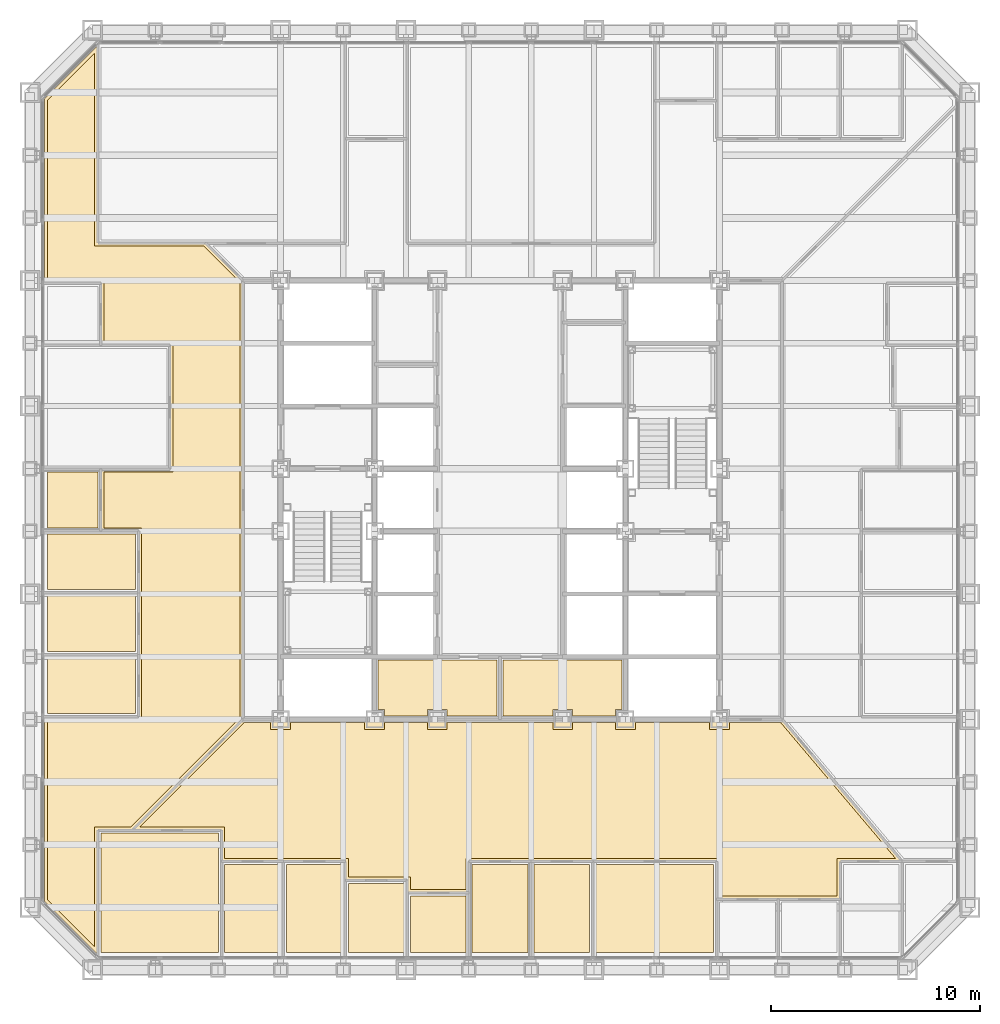
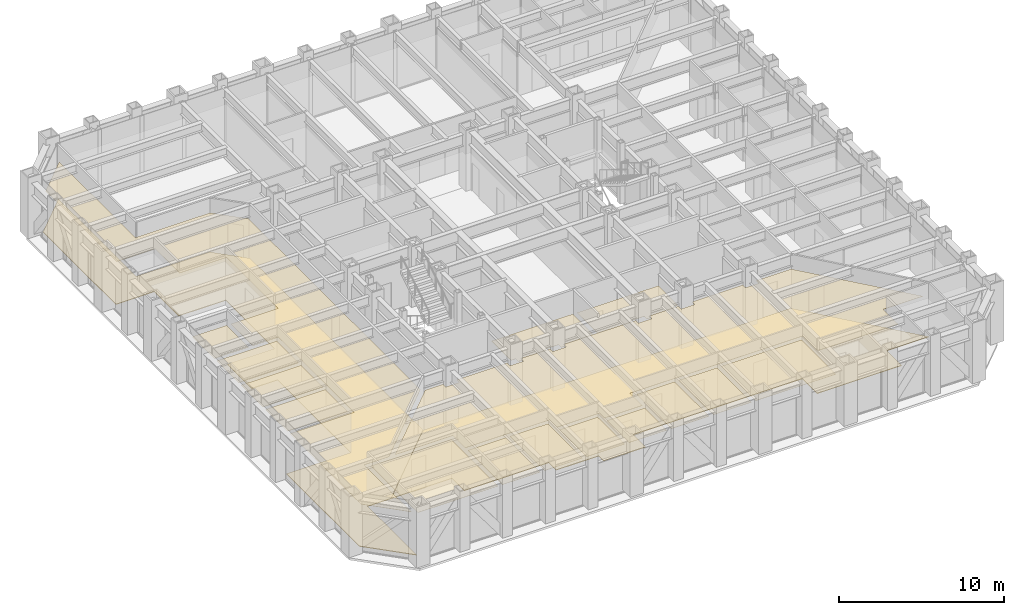
# One storey, part 14 of 16: 18 coverings.
"""IFC4 building model written with IfcOpenShell, lengths in metres."""

from ifc_helpers import new_model, si_unit, direction, frame, origin, place, context, subcontext, project, spatial, polyline, outline, extrude, material, layer, layer_set, type_object, element, save


model = new_model("IFC4")

# Units and contexts
model_context = context("Model", 3, precision=1e-05, world=origin(), true_north=direction((0.0, 1.0)))
body_context = subcontext(model_context, "Body", "Model", "MODEL_VIEW")
ifc_project = project(units=[si_unit("LENGTHUNIT", "METRE"), si_unit("AREAUNIT", "SQUARE_METRE"), si_unit("VOLUMEUNIT", "CUBIC_METRE"), si_unit("PLANEANGLEUNIT", "RADIAN"), si_unit("MASSUNIT", "GRAM", prefix="KILO")], contexts=[model_context])

# Site, building, storey
site_placement = place(None, origin())
site = spatial("IfcSite", under=ifc_project, at=site_placement, CompositionType="ELEMENT")
building_placement = place(site_placement, origin())
building = spatial("IfcBuilding", under=site, at=building_placement, Name="Chuquiago Exchange Tower", CompositionType="ELEMENT")
storey_placement = place(building_placement, frame((0.0, 0.0, 28.800048828125)))
storey = spatial("IfcBuildingStorey", under=building, at=storey_placement, Name="L05", CompositionType="ELEMENT", Elevation=28.800048828125)

# Coverings
ifc_material_1 = material(Name="Mineral fibre tile, 600 x 600, on pale metal grid", Category="mineral fibre")
ifc_layer_1 = layer(ifc_material_1, 0.02001953125)
ifc_layer_set_1 = layer_set([ifc_layer_1], Name="CL1 suspended tile ceiling 20")
covering_type_1 = type_object("IfcCoveringType", Name="CL1 suspended tile ceiling 20", PredefinedType="CEILING", material=ifc_layer_set_1)
covering_1_placement = place(storey_placement, frame((0.0, 0.0, 3.0)))
element("IfcCovering", 1, at=covering_1_placement, inside=storey, type_object=covering_type_1, Name="Ceiling Market data room", PredefinedType="CEILING", context=body_context, shape_type="SweptSolid", body=[
    extrude(outline(polyline([(3.3984375, 6.550048828125), (9.022216796875, 6.550048828125), (9.022216796875, 0.85009765625), (3.3984375, 0.85009765625), (3.3984375, 6.550048828125)])), origin(), (0.0, 0.0, 1.0), 0.02001953125),
])
covering_2_placement = place(storey_placement, frame((0.0, 0.0, 3.0)))
element("IfcCovering", 2, at=covering_2_placement, inside=storey, type_object=covering_type_1, Name="Ceiling Trading support room", PredefinedType="CEILING", context=body_context, shape_type="SweptSolid", body=[
    extrude(outline(polyline([(9.322021484375, 5.050048828125), (11.98388671875, 5.050048828125), (11.98388671875, 0.85009765625), (9.322021484375, 0.85009765625), (9.322021484375, 5.050048828125)])), origin(), (0.0, 0.0, 1.0), 0.02001953125),
])
covering_3_placement = place(storey_placement, frame((0.0, 0.0, 3.0)))
element("IfcCovering", 3, at=covering_3_placement, inside=storey, type_object=covering_type_1, Name="Ceiling Trading support room", PredefinedType="CEILING", context=body_context, shape_type="SweptSolid", body=[
    extrude(outline(polyline([(12.28369140625, 5.050048828125), (14.945556640625, 5.050048828125), (14.945556640625, 0.85009765625), (12.28369140625, 0.85009765625), (12.28369140625, 5.050048828125)])), origin(), (0.0, 0.0, 1.0), 0.02001953125),
])
covering_4_placement = place(storey_placement, frame((0.0, 0.0, 3.0)))
element("IfcCovering", 4, at=covering_4_placement, inside=storey, type_object=covering_type_1, Name="Ceiling Comms room", PredefinedType="CEILING", context=body_context, shape_type="SweptSolid", body=[
    extrude(outline(polyline([(15.24560546875, 4.14990234375), (17.907470703125, 4.14990234375), (17.907470703125, 0.85009765625), (15.24560546875, 0.85009765625), (15.24560546875, 4.14990234375)])), origin(), (0.0, 0.0, 1.0), 0.02001953125),
])
covering_5_placement = place(storey_placement, frame((0.0, 0.0, 3.0)))
element("IfcCovering", 5, at=covering_5_placement, inside=storey, type_object=covering_type_1, Name="Ceiling Store", PredefinedType="CEILING", context=body_context, shape_type="SweptSolid", body=[
    extrude(outline(polyline([(18.20751953125, 3.550048828125), (20.869140625, 3.550048828125), (20.869140625, 0.85009765625), (18.20751953125, 0.85009765625), (18.20751953125, 3.550048828125)])), origin(), (0.0, 0.0, 1.0), 0.02001953125),
])
covering_6_placement = place(storey_placement, frame((0.0, 0.0, 3.0)))
element("IfcCovering", 6, at=covering_6_placement, inside=storey, type_object=covering_type_1, Name="Ceiling Office", PredefinedType="CEILING", context=body_context, shape_type="SweptSolid", body=[
    extrude(outline(polyline([(21.169189453125, 5.050048828125), (23.830810546875, 5.050048828125), (23.830810546875, 0.85009765625), (21.169189453125, 0.85009765625), (21.169189453125, 5.050048828125)])), origin(), (0.0, 0.0, 1.0), 0.02001953125),
])
covering_7_placement = place(storey_placement, frame((0.0, 0.0, 3.0)))
element("IfcCovering", 7, at=covering_7_placement, inside=storey, type_object=covering_type_1, Name="Ceiling Office", PredefinedType="CEILING", context=body_context, shape_type="SweptSolid", body=[
    extrude(outline(polyline([(24.130859375, 5.050048828125), (26.79248046875, 5.050048828125), (26.79248046875, 0.85009765625), (24.130859375, 0.85009765625), (24.130859375, 5.050048828125)])), origin(), (0.0, 0.0, 1.0), 0.02001953125),
])
covering_8_placement = place(storey_placement, frame((0.0, 0.0, 3.0)))
element("IfcCovering", 8, at=covering_8_placement, inside=storey, type_object=covering_type_1, Name="Ceiling Meeting room", PredefinedType="CEILING", context=body_context, shape_type="SweptSolid", body=[
    extrude(outline(polyline([(27.092529296875, 5.050048828125), (32.71630859375, 5.050048828125), (32.71630859375, 0.85009765625), (27.092529296875, 0.85009765625), (27.092529296875, 5.050048828125)])), origin(), (0.0, 0.0, 1.0), 0.02001953125),
])
covering_9_placement = place(storey_placement, frame((0.0, 0.0, 3.0)))
element("IfcCovering", 9, at=covering_9_placement, inside=storey, type_object=covering_type_1, Name="Ceiling Office", PredefinedType="CEILING", context=body_context, shape_type="SweptSolid", body=[
    extrude(outline(polyline([(5.050048828125, 14.945556640625), (5.050048828125, 12.28369140625), (0.85009765625, 12.28369140625), (0.85009765625, 14.945556640625), (5.050048828125, 14.945556640625)])), origin(), (0.0, 0.0, 1.0), 0.02001953125),
])
covering_10_placement = place(storey_placement, frame((0.0, 0.0, 3.0)))
element("IfcCovering", 10, at=covering_10_placement, inside=storey, type_object=covering_type_1, Name="Ceiling Office", PredefinedType="CEILING", context=body_context, shape_type="SweptSolid", body=[
    extrude(outline(polyline([(5.050048828125, 17.907470703125), (5.050048828125, 15.24560546875), (0.85009765625, 15.24560546875), (0.85009765625, 17.907470703125), (5.050048828125, 17.907470703125)])), origin(), (0.0, 0.0, 1.0), 0.02001953125),
])
covering_11_placement = place(storey_placement, frame((0.0, 0.0, 3.0)))
element("IfcCovering", 11, at=covering_11_placement, inside=storey, type_object=covering_type_1, Name="Ceiling Office", PredefinedType="CEILING", context=body_context, shape_type="SweptSolid", body=[
    extrude(outline(polyline([(5.050048828125, 20.869140625), (5.050048828125, 18.20751953125), (0.85009765625, 18.20751953125), (0.85009765625, 20.869140625), (5.050048828125, 20.869140625)])), origin(), (0.0, 0.0, 1.0), 0.02001953125),
])
covering_12_placement = place(storey_placement, frame((0.0, 0.0, 3.0)))
element("IfcCovering", 12, at=covering_12_placement, inside=storey, type_object=covering_type_1, Name="Ceiling Focus room", PredefinedType="CEILING", context=body_context, shape_type="SweptSolid", body=[
    extrude(outline(polyline([(3.25, 23.830810546875), (3.25, 21.169189453125), (0.85009765625, 21.169189453125), (0.85009765625, 23.830810546875), (3.25, 23.830810546875)])), origin(), (0.0, 0.0, 1.0), 0.02001953125),
])
covering_13_placement = place(storey_placement, frame((0.0, 0.0, 3.0)))
element("IfcCovering", 13, at=covering_13_placement, inside=storey, type_object=covering_type_1, Name="Ceiling Trading floor south", PredefinedType="CEILING", context=body_context, shape_type="SweptSolid", body=[
    extrude(outline(polyline([(38.6396484375, 3.550048828125), (33.01611328125, 3.550048828125), (33.01611328125, 5.35009765625), (20.869140625, 5.35009765625), (20.869140625, 3.85009765625), (18.20751953125, 3.85009765625), (18.20751953125, 4.449951171875), (15.24560546875, 4.449951171875), (15.24560546875, 5.35009765625), (9.322021484375, 5.35009765625), (9.322021484375, 6.85009765625), (5.2626953125, 6.85009765625), (10.2626953125, 11.85009765625), (11.52490234375, 11.85009765625), (11.52490234375, 11.52490234375), (12.47509765625, 11.52490234375), (12.47509765625, 11.85009765625), (16.02490234375, 11.85009765625), (16.02490234375, 11.52490234375), (16.97509765625, 11.52490234375), (16.97509765625, 11.85009765625), (19.02490234375, 11.85009765625), (19.02490234375, 11.52490234375), (19.97509765625, 11.52490234375), (19.97509765625, 11.85009765625), (25.02490234375, 11.85009765625), (25.02490234375, 11.52490234375), (25.97509765625, 11.52490234375), (25.97509765625, 11.85009765625), (28.02490234375, 11.85009765625), (28.02490234375, 11.52490234375), (28.97509765625, 11.52490234375), (28.97509765625, 11.85009765625), (32.52490234375, 11.85009765625), (32.52490234375, 11.52490234375), (33.47509765625, 11.52490234375), (33.47509765625, 11.85009765625), (35.929931640625, 11.85009765625), (41.427490234375, 5.35009765625), (38.6396484375, 5.35009765625), (38.6396484375, 3.550048828125)])), origin(), (0.0, 0.0, 1.0), 0.02001953125),
])
covering_14_placement = place(storey_placement, frame((0.0, 0.0, 3.0)))
element("IfcCovering", 14, at=covering_14_placement, inside=storey, type_object=covering_type_1, Name="Ceiling Trading floor west", PredefinedType="CEILING", context=body_context, shape_type="SweptSolid", body=[
    extrude(outline(polyline([(3.098388671875, 34.64990234375), (8.337158203125, 34.64990234375), (10.050048828125, 32.9375), (10.050048828125, 12.0625), (4.837158203125, 6.85009765625), (3.098388671875, 6.85009765625), (3.098388671875, 1.103515625), (0.85009765625, 3.35205078125), (0.85009765625, 11.98388671875), (5.35009765625, 11.98388671875), (5.35009765625, 21.169189453125), (3.550048828125, 21.169189453125), (3.550048828125, 23.830810546875), (6.85009765625, 23.830810546875), (6.85009765625, 30.054443359375), (3.550048828125, 30.054443359375), (3.550048828125, 33.01611328125), (0.85009765625, 33.01611328125), (0.85009765625, 41.64794921875), (3.098388671875, 43.896484375), (3.098388671875, 34.64990234375)])), origin(), (0.0, 0.0, 1.0), 0.02001953125),
])
ifc_material_2 = material(Name="Moisture resistant plasterboard on metal frame", Category="gypsum")
ifc_layer_2 = layer(ifc_material_2, 0.014892578125)
ifc_layer_set_2 = layer_set([ifc_layer_2], Name="CL2 moisture resistant ceiling 15")
covering_type_2 = type_object("IfcCoveringType", Name="CL2 moisture resistant ceiling 15", PredefinedType="CEILING", material=ifc_layer_set_2)
covering_15_placement = place(storey_placement, frame((0.0, 0.0, 2.599853515625)))
element("IfcCovering", 15, at=covering_15_placement, inside=storey, type_object=covering_type_2, Name="Ceiling Accessible WC", PredefinedType="CEILING", context=body_context, shape_type="SweptSolid", body=[
    extrude(outline(polyline([(25.97509765625, 12.14990234375), (25.97509765625, 12.47509765625), (25.02490234375, 12.47509765625), (25.02490234375, 12.14990234375), (22.64990234375, 12.14990234375), (22.64990234375, 14.85009765625), (28.35009765625, 14.85009765625), (28.35009765625, 12.47509765625), (28.02490234375, 12.47509765625), (28.02490234375, 12.14990234375), (25.97509765625, 12.14990234375)])), origin(), (0.0, 0.0, 1.0), 0.01513671875),
])
covering_16_placement = place(storey_placement, frame((0.0, 0.0, 2.599853515625)))
element("IfcCovering", 16, at=covering_16_placement, inside=storey, type_object=covering_type_2, Name="Ceiling Cleaner", PredefinedType="CEILING", context=body_context, shape_type="SweptSolid", body=[
    extrude(outline(polyline([(19.97509765625, 12.14990234375), (19.97509765625, 12.47509765625), (19.02490234375, 12.47509765625), (19.02490234375, 12.14990234375), (16.97509765625, 12.14990234375), (16.97509765625, 12.47509765625), (16.64990234375, 12.47509765625), (16.64990234375, 14.85009765625), (22.35009765625, 14.85009765625), (22.35009765625, 12.14990234375), (19.97509765625, 12.14990234375)])), origin(), (0.0, 0.0, 1.0), 0.01513671875),
])
ifc_material_3 = material(Name="Steel raised floor panel", Category="steel")
ifc_layer_3 = layer(ifc_material_3, 0.0400390625)
ifc_layer_set_3 = layer_set([ifc_layer_3], Name="RF1 raised access floor 40")
covering_type_3 = type_object("IfcCoveringType", Name="RF1 raised access floor 40", PredefinedType="FLOORING", material=ifc_layer_set_3)
covering_17_placement = place(storey_placement, frame((0.0, 0.0, -0.0400390625)))
element("IfcCovering", 17, at=covering_17_placement, inside=storey, type_object=covering_type_3, Name="Raised access floor Trading floor south", PredefinedType="FLOORING", context=body_context, shape_type="SweptSolid", body=[
    extrude(outline(polyline([(38.789794921875, 5.199951171875), (38.789794921875, 3.39990234375), (32.8662109375, 3.39990234375), (32.8662109375, 5.199951171875), (21.01904296875, 5.199951171875), (21.01904296875, 3.699951171875), (18.057373046875, 3.699951171875), (18.057373046875, 4.300048828125), (15.095703125, 4.300048828125), (15.095703125, 5.199951171875), (9.172119140625, 5.199951171875), (9.172119140625, 6.699951171875), (4.900634765625, 6.699951171875), (10.200439453125, 12.0), (35.99951171875, 12.0), (41.750732421875, 5.199951171875), (38.789794921875, 5.199951171875)])), origin(), (0.0, 0.0, 1.0), 0.0400390625),
])
covering_18_placement = place(storey_placement, frame((0.0, 0.0, -0.0400390625)))
element("IfcCovering", 18, at=covering_18_placement, inside=storey, type_object=covering_type_3, Name="Raised access floor Trading floor west", PredefinedType="FLOORING", context=body_context, shape_type="SweptSolid", body=[
    extrude(outline(polyline([(5.199951171875, 12.1337890625), (5.199951171875, 21.01904296875), (3.39990234375, 21.01904296875), (3.39990234375, 23.98095703125), (6.699951171875, 23.98095703125), (6.699951171875, 29.904296875), (3.39990234375, 29.904296875), (3.39990234375, 32.8662109375), (0.699951171875, 32.8662109375), (0.699951171875, 41.710205078125), (3.289794921875, 44.300048828125), (3.24853515625, 44.258544921875), (3.24853515625, 34.800048828125), (8.3994140625, 34.800048828125), (10.199951171875, 32.99951171875), (10.199951171875, 12.00048828125), (4.8994140625, 6.699951171875), (3.24853515625, 6.699951171875), (3.24853515625, 0.741455078125), (0.699951171875, 3.289794921875), (0.699951171875, 12.1337890625), (5.199951171875, 12.1337890625)])), origin(), (0.0, 0.0, 1.0), 0.0400390625),
])

save(model, "model.ifc")
